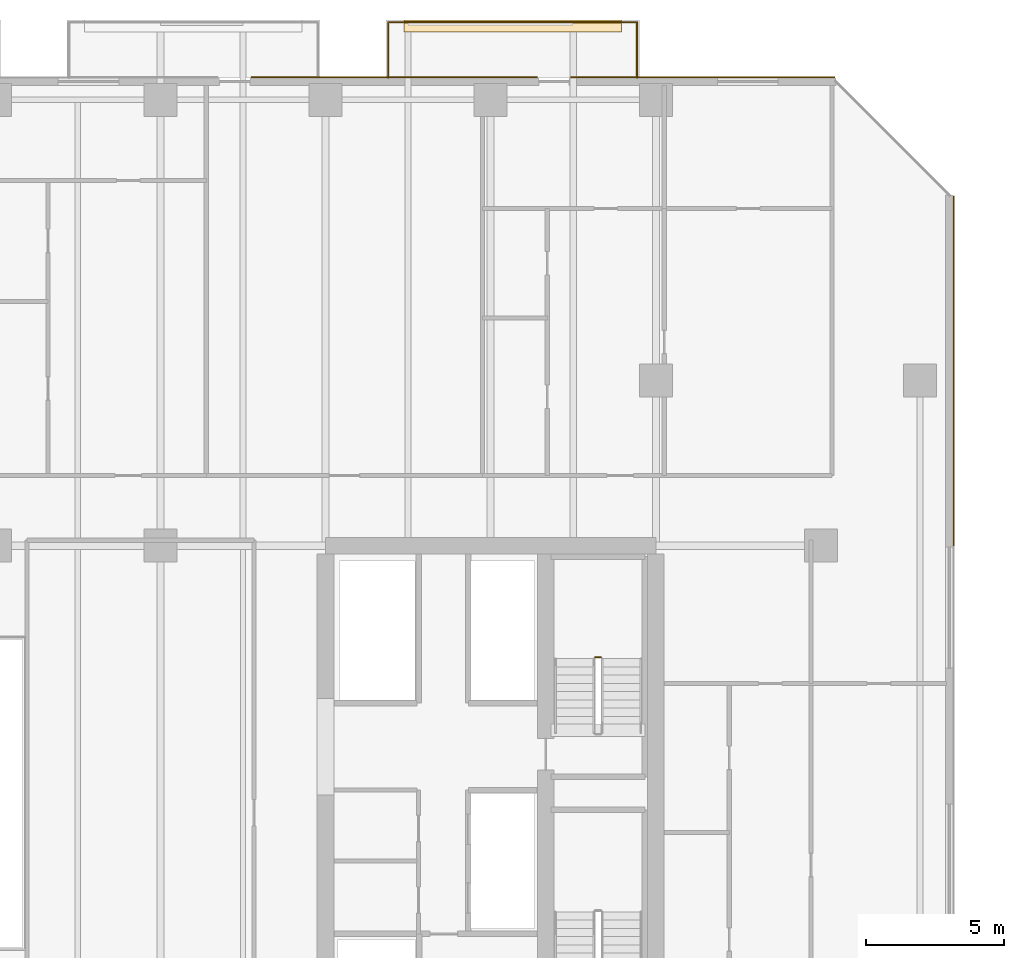
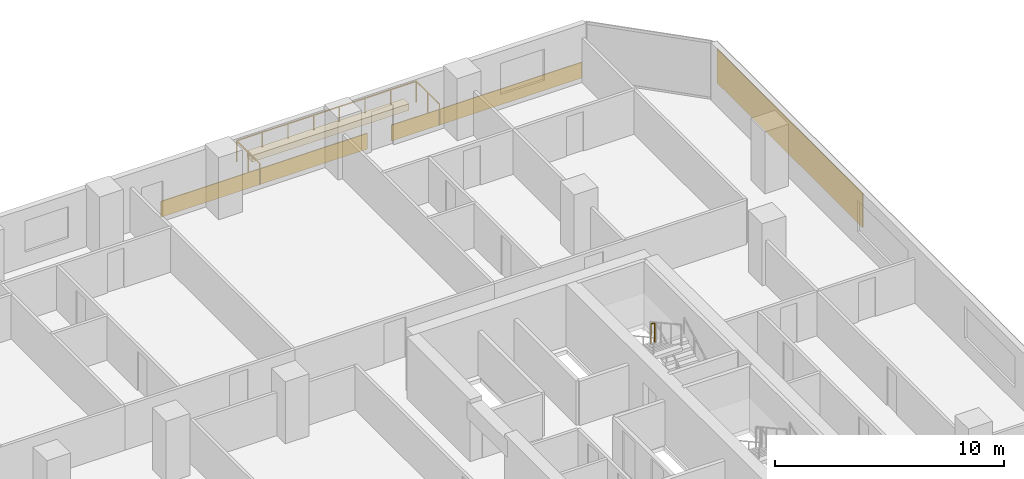
# One storey, part 33 of 33: 4 coverings, 2 railings.
"""IFC4 building model written with IfcOpenShell, lengths in metres."""

import ifcopenshell
import ifcopenshell.guid

model = None  # the IFC model being written
_history = None  # IfcOwnerHistory: only IFC2X3 demands one
_inside = {}  # id of a spatial element -> (the spatial element, [elements in it])
_under = {}  # id of a project, library or spatial element -> (it, [spatial elements below it])
_declared = {}  # id of a project -> (the project, [libraries it declares])
_typed = {}  # id of a type object -> (the type object, [elements of that type])
_made_of = {}  # id of a material, layer set ... -> (it, [elements and type objects made of it])


def new_model(schema):
    """Start an empty IFC model of exactly this schema.

    Asked for "IFC4X3", IfcOpenShell would pick the latest addendum, in which some entities
    have other attributes; the version numbers below select the first issue.
    IFC2X3 requires an IfcOwnerHistory on every rooted entity: one is made here for all.
    """
    global model, _history
    if schema == "IFC4X3":
        model = ifcopenshell.file(schema_version=(4, 3, 0, 0))
    else:
        model = ifcopenshell.file(schema=schema)
    _inside.clear()
    _under.clear()
    _declared.clear()
    _typed.clear()
    _made_of.clear()
    _history = None
    if model.schema == "IFC2X3":
        org = make("IfcOrganization", Name="unknown")
        user = make(
            "IfcPersonAndOrganization",
            ThePerson=make("IfcPerson", FamilyName="unknown"),
            TheOrganization=org,
        )
        app = make(
            "IfcApplication",
            ApplicationDeveloper=org,
            Version="unknown",
            ApplicationFullName="unknown",
            ApplicationIdentifier="unknown",
        )
        _history = make(
            "IfcOwnerHistory",
            OwningUser=user,
            OwningApplication=app,
            ChangeAction="ADDED",
            CreationDate=0,
        )
    return model


def make(cls, **values):
    """One entity of the class cls with the attributes given. An attribute that is None is left unset."""
    return model.create_entity(
        cls, **{name: value for name, value in values.items() if value is not None}
    )


def rooted(cls, **values):
    """An entity with a GlobalId (a new one), such as an element, a storey or a relation."""
    return make(cls, GlobalId=ifcopenshell.guid.new(), OwnerHistory=_history, **values)


def si_unit(unit_type, name, prefix=None):
    """IfcSIUnit, for example si_unit("LENGTHUNIT", "METRE", prefix="MILLI")."""
    return make("IfcSIUnit", UnitType=unit_type, Prefix=prefix, Name=name)


def assignment(units):
    """IfcUnitAssignment: the units of a project."""
    return None if units is None else make("IfcUnitAssignment", Units=units)


def point(xyz):
    """IfcCartesianPoint."""
    return None if xyz is None else make("IfcCartesianPoint", Coordinates=xyz)


def direction(xyz):
    """IfcDirection."""
    return None if xyz is None else make("IfcDirection", DirectionRatios=xyz)


def frame(location, z_axis=None, x_axis=None):
    """IfcAxis2Placement3D, a coordinate frame: its origin and axes. An axis left out is left unset."""
    return make(
        "IfcAxis2Placement3D",
        Location=point(location),
        Axis=direction(z_axis),
        RefDirection=direction(x_axis),
    )


def frame_2d(location, x_axis=None):
    """IfcAxis2Placement2D, a coordinate frame in the plane: its origin and x axis."""
    return make(
        "IfcAxis2Placement2D", Location=point(location), RefDirection=direction(x_axis)
    )


def origin():
    """The frame at (0, 0, 0) with its axes left unset."""
    return frame((0.0, 0.0, 0.0))


def origin_2d():
    """The frame at (0, 0) in the plane with its x axis left unset."""
    return frame_2d((0.0, 0.0))


def place(relative_to, where):
    """IfcLocalPlacement: puts the frame where relative to a parent placement (None: the world)."""
    return make(
        "IfcLocalPlacement", PlacementRelTo=relative_to, RelativePlacement=where
    )


def context(
    kind, dimensions, precision=None, world=None, true_north=None, identifier=None
):
    """IfcGeometricRepresentationContext, for example the 3D "Model" context."""
    return make(
        "IfcGeometricRepresentationContext",
        ContextIdentifier=identifier,
        ContextType=kind,
        CoordinateSpaceDimension=dimensions,
        Precision=precision,
        WorldCoordinateSystem=world,
        TrueNorth=true_north,
    )


def subcontext(parent, identifier, kind, view, scale=None):
    """IfcGeometricRepresentationSubContext, for example "Body" below "Model"."""
    return make(
        "IfcGeometricRepresentationSubContext",
        ContextIdentifier=identifier,
        ContextType=kind,
        ParentContext=parent,
        TargetScale=scale,
        TargetView=view,
    )


def project(units=None, contexts=None):
    """IfcProject with its units and contexts."""
    return rooted(
        "IfcProject",
        Name="project",
        RepresentationContexts=contexts,
        UnitsInContext=assignment(units),
    )


def spatial(cls, under=None, at=None, **own):
    """A site, building, storey or space (cls), placed at a placement, below another one or the project."""
    s = rooted(cls, ObjectPlacement=at, **own)
    if under is not None:
        _under.setdefault(under.id(), (under, []))[1].append(s)
    return s


def polyline(points):
    """IfcPolyline through the points."""
    return make("IfcPolyline", Points=[point(p) for p in points])


def profile(cls, at=None, kind="AREA", **sizes):
    """A parametric profile (cls). Its sizes go by their IFC names, for example OverallWidth=200.0."""
    return make(cls, ProfileType=kind, Position=at, **sizes)


def rectangle(**sizes):
    """IfcRectangleProfileDef."""
    return profile("IfcRectangleProfileDef", **sizes)


def outline(outer, holes=None, kind="AREA"):
    """IfcArbitraryClosedProfileDef: a profile drawn as a closed curve; with holes, ...WithVoids."""
    if holes is None:
        return make("IfcArbitraryClosedProfileDef", ProfileType=kind, OuterCurve=outer)
    return make(
        "IfcArbitraryProfileDefWithVoids",
        ProfileType=kind,
        OuterCurve=outer,
        InnerCurves=holes,
    )


def extrude(swept, where, along, depth):
    """IfcExtrudedAreaSolid: the profile swept, set in the frame where, extruded along a direction by depth."""
    return make(
        "IfcExtrudedAreaSolid",
        SweptArea=swept,
        Position=where,
        ExtrudedDirection=direction(along),
        Depth=depth,
    )


def shape(context_of_items, identifier, shape_type, items):
    """IfcShapeRepresentation: the items that make up one representation, for example the "Body"."""
    return make(
        "IfcShapeRepresentation",
        ContextOfItems=context_of_items,
        RepresentationIdentifier=identifier,
        RepresentationType=shape_type,
        Items=items,
    )


def material(Name=None, Category=None):
    """IfcMaterial."""
    return make("IfcMaterial", Name=Name, Category=Category)


def layer(
    of_material, thickness, ventilated=None, Name=None, Category=None, Priority=None
):
    """IfcMaterialLayer: one layer of a wall or slab, of a material (None: an air gap)."""
    return make(
        "IfcMaterialLayer",
        Material=of_material,
        LayerThickness=thickness,
        IsVentilated=ventilated,
        Name=Name,
        Category=Category,
        Priority=Priority,
    )


def layer_set(layers, Name=None):
    """IfcMaterialLayerSet."""
    return make("IfcMaterialLayerSet", MaterialLayers=layers, LayerSetName=Name)


def made_of(thing, what):
    """Note that an element or type object is made of a material, layer set ...; save() writes the relation."""
    if what is not None:
        _made_of.setdefault(what.id(), (what, []))[1].append(thing)
    return thing


def type_object(cls, material=None, **own):
    """A type object (cls), such as IfcWallType, which elements share."""
    return made_of(rooted(cls, **own), material)


def element(
    cls,
    number,
    at=None,
    inside=None,
    cuts=None,
    type_object=None,
    material=None,
    context=None,
    identifier="Body",
    shape_type=None,
    held_by="IfcProductDefinitionShape",
    body=None,
    shapes=None,
    **own,
):
    """One element of the class cls, such as IfcWall. Its Tag is "e" and its number.

    at: its placement. inside: the storey or other place that contains it. cuts: it is an
    opening in that element (IfcRelVoidsElement). A single representation is given by context,
    identifier, shape_type and body (its items); several are given by shapes. held_by: the class
    of the entity that holds the representations. save() writes the other relations.
    """
    e = rooted(cls, Tag="e%d" % number, ObjectPlacement=at, **own)
    if body is not None:
        shapes = [shape(context, identifier, shape_type, body)]
    if shapes is not None:
        e.Representation = make(held_by, Representations=shapes)
    if inside is not None:
        _inside.setdefault(inside.id(), (inside, []))[1].append(e)
    if cuts is not None:
        rooted(
            "IfcRelVoidsElement", RelatingBuildingElement=cuts, RelatedOpeningElement=e
        )
    if type_object is not None:
        _typed.setdefault(type_object.id(), (type_object, []))[1].append(e)
    return made_of(e, material)


def aggregate(whole, parts):
    """IfcRelAggregates: a whole, such as a stair, and the parts it consists of."""
    return rooted("IfcRelAggregates", RelatingObject=whole, RelatedObjects=parts)


def save(model, path):
    """Write the relations noted so far, then the file.

    IfcRelAggregates (storeys below a building ...), IfcRelContainedInSpatialStructure (elements
    in a storey), IfcRelDefinesByType, IfcRelAssociatesMaterial and IfcRelDeclares: one each for
    every whole, place, type object, material and project.
    """
    for whole, parts in _under.values():
        aggregate(whole, parts)
    for where, things in _inside.values():
        rooted(
            "IfcRelContainedInSpatialStructure",
            RelatedElements=things,
            RelatingStructure=where,
        )
    for kind, things in _typed.values():
        rooted("IfcRelDefinesByType", RelatedObjects=things, RelatingType=kind)
    for what, things in _made_of.values():
        rooted("IfcRelAssociatesMaterial", RelatedObjects=things, RelatingMaterial=what)
    for by, libraries in _declared.values():
        rooted("IfcRelDeclares", RelatingContext=by, RelatedDefinitions=libraries)
    model.write(path)


model = new_model("IFC4")

# Units and contexts
model_context = context("Model", 3, precision=1e-05, world=origin(), true_north=direction((0.0, 1.0)))
body_context = subcontext(model_context, "Body", "Model", "MODEL_VIEW")
ifc_project = project(units=[si_unit("LENGTHUNIT", "METRE"), si_unit("AREAUNIT", "SQUARE_METRE"), si_unit("VOLUMEUNIT", "CUBIC_METRE"), si_unit("PLANEANGLEUNIT", "RADIAN"), si_unit("MASSUNIT", "GRAM", prefix="KILO")], contexts=[model_context])

# Site, building, storey
site_placement = place(None, origin())
site = spatial("IfcSite", under=ifc_project, at=site_placement, CompositionType="ELEMENT")
building_placement = place(site_placement, origin())
building = spatial("IfcBuilding", under=site, at=building_placement, Name="Tanjung Sevakor Pilgrim Tower", CompositionType="ELEMENT")
storey_placement = place(building_placement, frame((0.0, 0.0, 38.93994140625)))
storey = spatial("IfcBuildingStorey", under=building, at=storey_placement, Name="L10", CompositionType="ELEMENT", Elevation=38.93994140625)

# Coverings
ifc_material_1 = material(Name="Reconstructed Limestone Cladding", Category="masonry")
ifc_layer_1 = layer(ifc_material_1, 0.044921875)
ifc_layer_set_1 = layer_set([ifc_layer_1], Name="COV-CLAD-LIMESTONE")
covering_type_1 = type_object("IfcCoveringType", Name="COV-CLAD-LIMESTONE", PredefinedType="CLADDING", material=ifc_layer_set_1)
covering_1_placement = place(storey_placement, frame((100.822509765625, 48.950927734375, 0.85009765625), z_axis=(0.0, 0.0, 1.0), x_axis=(0.0, 1.0, 0.0)))
element("IfcCovering", 1, at=covering_1_placement, inside=storey, type_object=covering_type_1, Name="L10 Warm Limestone Pier Panel EW-L10-MAIN-7-3", PredefinedType="CLADDING", context=body_context, shape_type="SweptSolid", body=[
    extrude(rectangle(XDim=12.701904296875, YDim=0.044921875, at=origin_2d()), origin(), (0.0, 0.0, 1.0), 1.81005859375),
])
covering_2_placement = place(storey_placement, frame((91.7060546875, 59.62255859375, 0.01025390625), z_axis=(0.0, 0.0, 1.0), x_axis=(-1.0, 0.0, 0.0)))
element("IfcCovering", 2, at=covering_2_placement, inside=storey, type_object=covering_type_1, Name="L10 Warm Limestone Sill Spandrel EW-L10-MAIN-9-1", PredefinedType="CLADDING", context=body_context, shape_type="SweptSolid", body=[
    extrude(rectangle(XDim=9.592041015625, YDim=0.044921875, at=origin_2d()), origin(), (0.0, 0.0, 1.0), 0.840087890625),
])
covering_3_placement = place(storey_placement, frame((80.5, 59.62255859375, 0.01025390625), z_axis=(0.0, 0.0, 1.0), x_axis=(-1.0, 0.0, 0.0)))
element("IfcCovering", 3, at=covering_3_placement, inside=storey, type_object=covering_type_1, Name="L10 Warm Limestone Sill Spandrel EW-L10-MAIN-9-2", PredefinedType="CLADDING", context=body_context, shape_type="SweptSolid", body=[
    extrude(rectangle(XDim=10.3798828125, YDim=0.044921875, at=origin_2d()), origin(), (0.0, 0.0, 1.0), 0.840087890625),
])
ifc_material_2 = material(Name="Vegetated Modular Planter Assembly", Category="organic")
ifc_layer_2 = layer(ifc_material_2, 0.35009765625)
ifc_layer_set_2 = layer_set([ifc_layer_2], Name="COV-GRN-TROUGH")
covering_type_2 = type_object("IfcCoveringType", Name="COV-GRN-TROUGH", PredefinedType="CLADDING", material=ifc_layer_set_2)
covering_4_placement = place(storey_placement, origin())
element("IfcCovering", 4, at=covering_4_placement, inside=storey, type_object=covering_type_2, Name="L10 Planted Landscape Hedge Trough BGRN-L10-MAIN-N4", PredefinedType="CLADDING", context=body_context, shape_type="SweptSolid", body=[
    extrude(outline(polyline([(80.85009765625, 61.260009765625), (88.75, 61.260009765625), (88.75, 61.699951171875), (80.85009765625, 61.699951171875), (80.85009765625, 61.260009765625)])), origin(), (0.0, 0.0, 1.0), 0.35009765625),
])

# Railings
ifc_material_3 = material(Name="Laminated Glass and Aluminium", Category="aluminium")
railing_type_1 = type_object("IfcRailingType", Name="RL-BAL-BALUST", PredefinedType="BALUSTRADE", material=ifc_material_3)
railing_1_placement = place(storey_placement, frame((80.280029296875, 59.60009765625, 0.0)))
element("IfcRailing", 5, at=railing_1_placement, inside=storey, type_object=railing_type_1, Name="L10 Loggia Balustrade MAIN-N4", PredefinedType="BALUSTRADE", context=body_context, shape_type="SweptSolid", body=[
    extrude(rectangle(XDim=0.0479, YDim=0.0479), frame((0.0, 0.0, 1.1259765625), z_axis=(0.0, 1.0, 0.0), x_axis=(-1.0, 0.0, 0.0)), (0.0, 0.0, 1.0), 2.02001953125),
    extrude(rectangle(XDim=0.0479, YDim=0.0479), frame((0.0, 2.02001953125, 1.1259765625), z_axis=(1.0, 0.0, 0.0), x_axis=(0.0, 1.0, 0.0)), (0.0, 0.0, 1.0), 9.0400390625),
    extrude(rectangle(XDim=0.0479, YDim=0.0479), frame((9.0400390625, 2.02001953125, 1.1259765625), z_axis=(0.0, -1.0, 0.0), x_axis=(1.0, 0.0, 0.0)), (0.0, 0.0, 1.0), 2.02001953125),
    extrude(rectangle(XDim=0.042, YDim=0.042), origin(), (0.0, 0.0, 1.0), 1.101806640625),
    extrude(rectangle(XDim=0.042, YDim=0.042), frame((0.0, 1.010009765625, 0.0)), (0.0, 0.0, 1.0), 1.101806640625),
    extrude(rectangle(XDim=0.042, YDim=0.042), frame((0.0, 2.02001953125, 0.0)), (0.0, 0.0, 1.0), 1.101806640625),
    extrude(rectangle(XDim=0.042, YDim=0.042), frame((1.29150390625, 2.02001953125, 0.0)), (0.0, 0.0, 1.0), 1.101806640625),
    extrude(rectangle(XDim=0.042, YDim=0.042), frame((2.582763671875, 2.02001953125, 0.0)), (0.0, 0.0, 1.0), 1.101806640625),
    extrude(rectangle(XDim=0.042, YDim=0.042), frame((3.874267578125, 2.02001953125, 0.0)), (0.0, 0.0, 1.0), 1.101806640625),
    extrude(rectangle(XDim=0.042, YDim=0.042), frame((5.165771484375, 2.02001953125, 0.0)), (0.0, 0.0, 1.0), 1.101806640625),
    extrude(rectangle(XDim=0.042, YDim=0.042), frame((6.457275390625, 2.02001953125, 0.0)), (0.0, 0.0, 1.0), 1.101806640625),
    extrude(rectangle(XDim=0.042, YDim=0.042), frame((7.74853515625, 2.02001953125, 0.0)), (0.0, 0.0, 1.0), 1.101806640625),
    extrude(rectangle(XDim=0.042, YDim=0.042), frame((9.0400390625, 2.02001953125, 0.0)), (0.0, 0.0, 1.0), 1.101806640625),
    extrude(rectangle(XDim=0.042, YDim=0.042), frame((9.0400390625, 1.010009765625, 0.0)), (0.0, 0.0, 1.0), 1.101806640625),
    extrude(rectangle(XDim=0.042, YDim=0.042), frame((9.0400390625, 0.0, 0.0)), (0.0, 0.0, 1.0), 1.101806640625),
])
ifc_material_4 = material(Name="Steel S355J2", Category="steel")
railing_type_2 = type_object("IfcRailingType", Name="RL-STAIR-GUARD", PredefinedType="GUARDRAIL", material=ifc_material_4)
railing_2_placement = place(storey_placement, frame((88.0, 38.550048828125, 1.650146484375)))
element("IfcRailing", 6, at=railing_2_placement, inside=storey, type_object=railing_type_2, Name="L10 TS-E2 stair guard 2", PredefinedType="GUARDRAIL", context=body_context, shape_type="SweptSolid", body=[
    extrude(rectangle(XDim=0.0479, YDim=0.0479), frame((0.0, 0.0, 1.076171875), z_axis=(-1.0, 0.0, 0.0), x_axis=(0.0, -1.0, 0.0)), (0.0, 0.0, 1.0), 0.199951171875),
    extrude(rectangle(XDim=0.042, YDim=0.042), origin(), (0.0, 0.0, 1.0), 1.052001953125),
    extrude(rectangle(XDim=0.042, YDim=0.042), frame((-0.199951171875, 0.0, 0.0)), (0.0, 0.0, 1.0), 1.052001953125),
])

save(model, "model.ifc")
